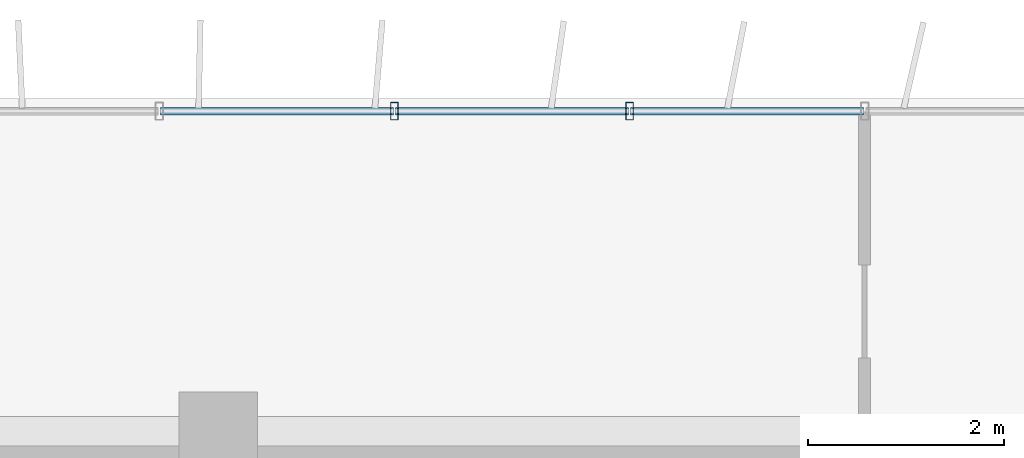
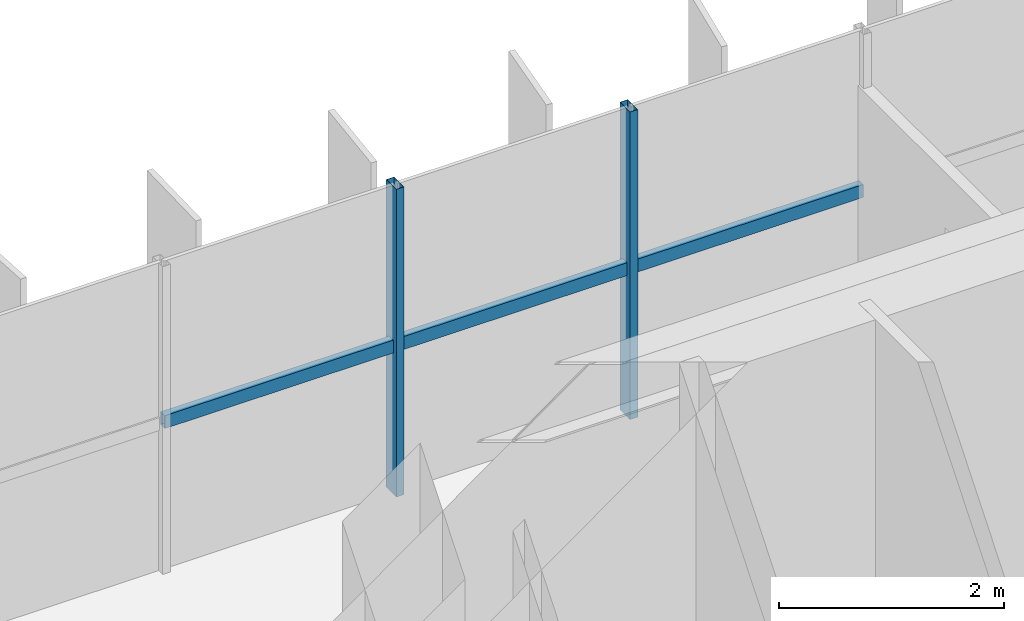
# One storey, part 7 of 22: 5 members, 1 element without a shape of its own.
"""IFC4 building model written with IfcOpenShell, lengths in metres."""

from ifc_helpers import new_model, si_unit, direction, frame, origin, origin_2d, place, context, subcontext, project, spatial, hollow_rectangle, extrude, source, transform, mapped, material, material_profile, profile_set, type_object, element, aggregate, save


model = new_model("IFC4")

# Units and contexts
model_context = context("Model", 3, precision=1e-05, world=origin(), true_north=direction((0.0, 1.0)))
body_context = subcontext(model_context, "Body", "Model", "MODEL_VIEW")
ifc_project = project(units=[si_unit("LENGTHUNIT", "METRE"), si_unit("AREAUNIT", "SQUARE_METRE"), si_unit("VOLUMEUNIT", "CUBIC_METRE"), si_unit("PLANEANGLEUNIT", "RADIAN"), si_unit("MASSUNIT", "GRAM", prefix="KILO")], contexts=[model_context])

# Site, building, storey
site_placement = place(None, origin())
site = spatial("IfcSite", under=ifc_project, at=site_placement, CompositionType="ELEMENT")
building_placement = place(site_placement, origin())
building = spatial("IfcBuilding", under=site, at=building_placement, Name="Trelvane Seafront Commons", CompositionType="ELEMENT")
storey_placement = place(building_placement, frame((0.0, 0.0, 96.10009765625)))
storey = spatial("IfcBuildingStorey", under=building, at=storey_placement, Name="L24", CompositionType="ELEMENT", Elevation=96.10009765625)

# Curtain wall, members
ifc_material = material(Name="Anodised pale-silver aluminium", Category="aluminium")
curtain_wall_type = type_object("IfcCurtainWallType", Name="ARCH-CW4-SKYLOBBY", PredefinedType="NOTDEFINED", material=ifc_material)
curtain_wall_placement = place(storey_placement, origin())
curtain_wall = element("IfcCurtainWall", 1, at=curtain_wall_placement, inside=storey, type_object=curtain_wall_type, Name="CW-L24-0049", PredefinedType="NOTDEFINED")
ifc_material_profile_1 = material_profile(ifc_material, hollow_rectangle(XDim=0.074951171875, YDim=0.139892578125, WallThickness=0.00390625, at=origin_2d()), Name="TRAN-75x140x4")
ifc_profile_set_1 = profile_set([ifc_material_profile_1], Name="Anodised pale-silver aluminium")
member_type_1 = type_object("IfcMemberType", Name="ARCH-CW-TRAN-140", PredefinedType="USERDEFINED", material=ifc_profile_set_1)
shared_shape_1 = source(origin(), body_context, "Body", "SweptSolid", [
    extrude(hollow_rectangle(XDim=0.074951171875, YDim=0.139892578125, WallThickness=0.00390625, at=origin_2d()), origin(), (0.0, 0.0, 1.0), 2.3759765625),
])
member_1_placement = place(storey_placement, frame((30.011962890625, 48.3701171875, 1.602783203125), z_axis=(1.0, 0.0, 0.0), x_axis=(0.0, 1.0, 0.0)))
member_1 = element("IfcMember", 2, at=member_1_placement, type_object=member_type_1, Name="CW-L24-0049-T06", ObjectType="TRANSOM", PredefinedType="USERDEFINED", context=body_context, shape_type="MappedRepresentation", body=[
    mapped(shared_shape_1, transform((0.0, 0.0, 0.0), x_axis=(1.0, 0.0, 0.0), y_axis=(0.0, 1.0, 0.0), z_axis=(0.0, 0.0, 1.0), scale=1.0)),
])
member_2_placement = place(storey_placement, frame((32.412109375, 48.3701171875, 1.602783203125), z_axis=(1.0, 0.0, 0.0), x_axis=(0.0, 1.0, 0.0)))
member_2 = element("IfcMember", 3, at=member_2_placement, type_object=member_type_1, Name="CW-L24-0049-T07", ObjectType="TRANSOM", PredefinedType="USERDEFINED", context=body_context, shape_type="MappedRepresentation", body=[
    mapped(shared_shape_1, transform((0.0, 0.0, 0.0), x_axis=(1.0, 0.0, 0.0), y_axis=(0.0, 1.0, 0.0), z_axis=(0.0, 0.0, 1.0), scale=1.0)),
])
member_3_placement = place(storey_placement, frame((34.81201171875, 48.3701171875, 1.602783203125), z_axis=(1.0, 0.0, 0.0), x_axis=(0.0, 1.0, 0.0)))
member_3 = element("IfcMember", 4, at=member_3_placement, type_object=member_type_1, Name="CW-L24-0049-T08", ObjectType="TRANSOM", PredefinedType="USERDEFINED", context=body_context, shape_type="MappedRepresentation", body=[
    mapped(shared_shape_1, transform((0.0, 0.0, 0.0), x_axis=(1.0, 0.0, 0.0), y_axis=(0.0, 1.0, 0.0), z_axis=(0.0, 0.0, 1.0), scale=1.0)),
])
ifc_material_profile_2 = material_profile(ifc_material, hollow_rectangle(XDim=0.080078125, YDim=0.179931640625, WallThickness=0.00439453125, at=origin_2d()), Name="MULL-80x180x4.5")
ifc_profile_set_2 = profile_set([ifc_material_profile_2], Name="Anodised pale-silver aluminium")
member_type_2 = type_object("IfcMemberType", Name="ARCH-CW-MULL-180", PredefinedType="MULLION", material=ifc_profile_set_2)
shared_shape_2 = source(origin(), body_context, "Body", "SweptSolid", [
    extrude(hollow_rectangle(XDim=0.080078125, YDim=0.179931640625, WallThickness=0.00439453125, at=origin_2d()), origin(), (0.0, 0.0, 1.0), 3.33984375),
])
member_4_placement = place(storey_placement, frame((32.39990234375, 48.3701171875, 0.0), z_axis=(0.0, 0.0, 1.0), x_axis=(1.0, 0.0, 0.0)))
member_4 = element("IfcMember", 5, at=member_4_placement, type_object=member_type_2, Name="CW-L24-0049-M07", PredefinedType="MULLION", context=body_context, shape_type="MappedRepresentation", body=[
    mapped(shared_shape_2, transform((0.0, 0.0, 0.0), x_axis=(1.0, 0.0, 0.0), y_axis=(0.0, 1.0, 0.0), z_axis=(0.0, 0.0, 1.0), scale=1.0)),
])
member_5_placement = place(storey_placement, frame((34.800048828125, 48.3701171875, 0.0), z_axis=(0.0, 0.0, 1.0), x_axis=(1.0, 0.0, 0.0)))
member_5 = element("IfcMember", 6, at=member_5_placement, type_object=member_type_2, Name="CW-L24-0049-M08", PredefinedType="MULLION", context=body_context, shape_type="MappedRepresentation", body=[
    mapped(shared_shape_2, transform((0.0, 0.0, 0.0), x_axis=(1.0, 0.0, 0.0), y_axis=(0.0, 1.0, 0.0), z_axis=(0.0, 0.0, 1.0), scale=1.0)),
])
aggregate(curtain_wall, [member_4, member_5, member_1, member_2, member_3])

save(model, "model.ifc")
